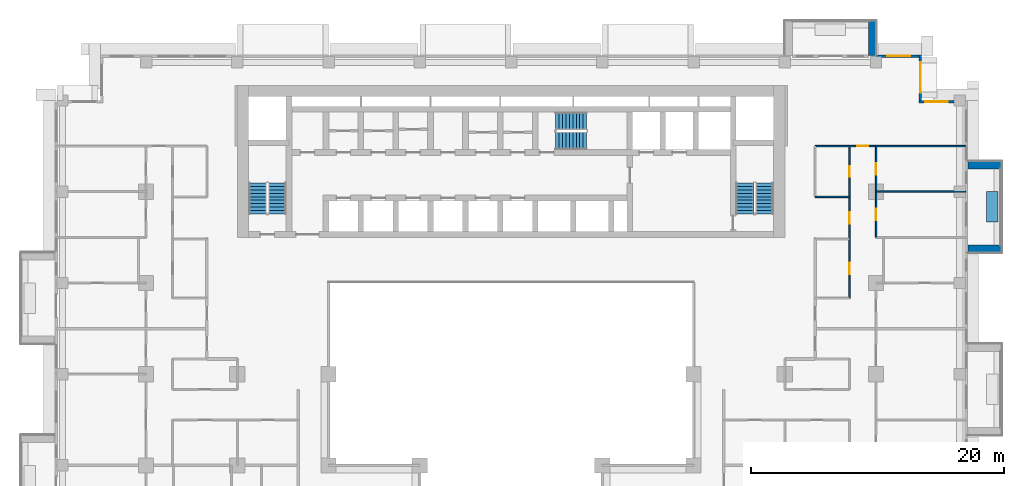
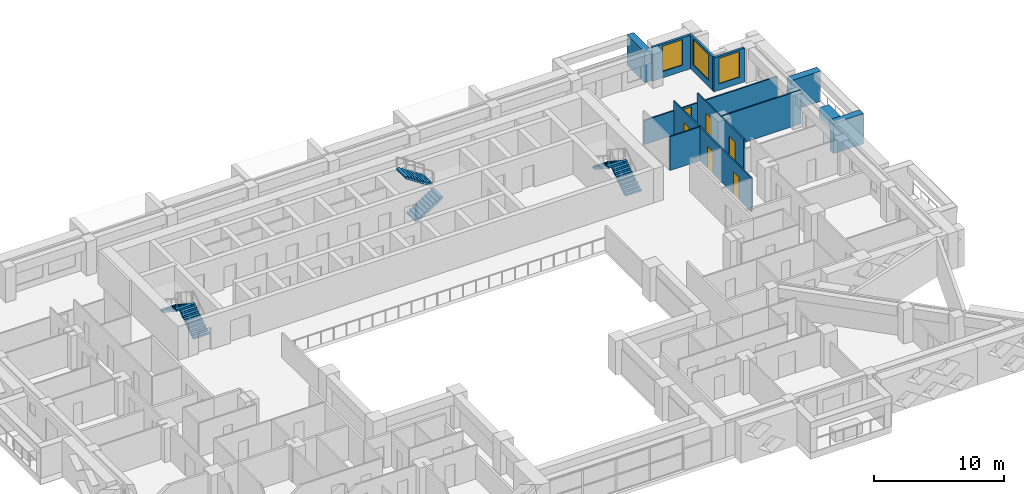
# One storey, part 13 of 17: 12 walls, 6 doors, 6 stair flights, 3 windows, 9 openings, 3 elements without a shape of their own.
"""IFC4 building model written with IfcOpenShell, lengths in metres."""

from ifc_helpers import new_model, si_unit, direction, frame, frame_2d, origin, place, context, subcontext, project, spatial, polyline, rectangle, outline, extrude, material, layer, layer_set, type_object, element, fill, aggregate, save


model = new_model("IFC4")

# Units and contexts
model_context = context("Model", 3, precision=1e-05, world=origin(), true_north=direction((0.0, 1.0)))
body_context = subcontext(model_context, "Body", "Model", "MODEL_VIEW")
ifc_project = project(units=[si_unit("LENGTHUNIT", "METRE"), si_unit("AREAUNIT", "SQUARE_METRE"), si_unit("VOLUMEUNIT", "CUBIC_METRE"), si_unit("PLANEANGLEUNIT", "RADIAN"), si_unit("MASSUNIT", "GRAM", prefix="KILO")], contexts=[model_context])

# Site, building, storey
site_placement = place(None, origin())
site = spatial("IfcSite", under=ifc_project, at=site_placement, CompositionType="ELEMENT")
building_placement = place(site_placement, origin())
building = spatial("IfcBuilding", under=site, at=building_placement, Name="Saffron Iwan Residences", CompositionType="ELEMENT")
storey_placement = place(building_placement, frame((0.0, 0.0, 93.5)))
storey = spatial("IfcBuildingStorey", under=building, at=storey_placement, Name="L24", CompositionType="ELEMENT", Elevation=93.5)

# Walls
ifc_material_1 = material(Name="Concrete C50/60 white painted", Category="concrete")
ifc_layer_1 = layer(ifc_material_1, 0.60009765625)
ifc_layer_set_1 = layer_set([ifc_layer_1], Name="Concrete C50/60 white painted")
wall_type_1 = type_object("IfcWallType", Name="BALCONY FIN 600", PredefinedType="SOLIDWALL", material=ifc_layer_set_1)
for number, where, z_axis, x_axis, name in (
    (1, (86.449951171875, 65.10009765625, 0.0), (0.0, 0.0, 1.0), (1.0, 0.0, 0.0), "Balcony fin L24 F2-1a"),
    (2, (86.449951171875, 71.699951171875, 0.0), (0.0, 0.0, 1.0), (1.0, 0.0, 0.0), "Balcony fin L24 F2-1b"),
):
    element("IfcWall", number, at=place(storey_placement, frame(where, z_axis=z_axis, x_axis=x_axis)), inside=storey, type_object=wall_type_1, Name=name, PredefinedType="SOLIDWALL", context=body_context, shape_type="SweptSolid", body=[
        extrude(rectangle(XDim=2.650146484375, YDim=0.60009765625, at=frame_2d((1.3251953125, 0.0))), origin(), (0.0, 0.0, 1.0), 2.85009765625),
    ])
wall_1_placement = place(storey_placement, frame((78.89990234375, 80.35009765625, 0.0), z_axis=(0.0, 0.0, 1.0), x_axis=(0.0, 1.0, 0.0)))
element("IfcWall", 3, at=wall_1_placement, inside=storey, type_object=wall_type_1, Name="Balcony fin L24 F5-0a", PredefinedType="SOLIDWALL", context=body_context, shape_type="SweptSolid", body=[
    extrude(rectangle(XDim=2.75, YDim=0.60009765625, at=frame_2d((1.375, 0.0))), origin(), (0.0, 0.0, 1.0), 2.85009765625),
])
ifc_material_2 = material(Name="Concrete C35/45 white painted", Category="concrete")
ifc_layer_2 = layer(ifc_material_2, 0.14990234375)
ifc_layer_set_2 = layer_set([ifc_layer_2], Name="Concrete C35/45 white painted")
wall_type_2 = type_object("IfcWallType", Name="BALCONY PLANTER", PredefinedType="SOLIDWALL", material=ifc_layer_set_2)
wall_2_placement = place(storey_placement, frame((88.375, 67.199951171875, 0.0), z_axis=(0.0, 0.0, 1.0), x_axis=(0.0, 1.0, 0.0)))
element("IfcWall", 4, at=wall_2_placement, inside=storey, type_object=wall_type_2, Name="PLANTER L24 F2-1", PredefinedType="SOLIDWALL", context=body_context, shape_type="SweptSolid", body=[
    extrude(rectangle(XDim=2.400146484375, YDim=0.89990234375, at=frame_2d((1.2001953125, 0.0))), origin(), (0.0, 0.0, 1.0), 0.89990234375),
])

# Wall, opening, window
ifc_material_3 = material(Name="Concrete C40/50", Category="concrete")
ifc_layer_3 = layer(ifc_material_3, 0.199951171875)
ifc_layer_set_3 = layer_set([ifc_layer_3], Name="Concrete C40/50")
wall_type_3 = type_object("IfcWallType", Name="EXTERNAL WALL 200", PredefinedType="SOLIDWALL", material=ifc_layer_set_3)
wall_3_placement = place(storey_placement, frame((85.35009765625, 76.699951171875, 0.0), z_axis=(0.0, 0.0, 1.0), x_axis=(-1.0, 0.0, 0.0)))
wall_3 = element("IfcWall", 5, at=wall_3_placement, inside=storey, type_object=wall_type_3, Name="External wall L24 F3.0", PredefinedType="SOLIDWALL", context=body_context, shape_type="SweptSolid", body=[
    extrude(rectangle(XDim=2.75, YDim=0.199951171875, at=frame_2d((1.375, 0.0))), origin(), (0.0, 0.0, 1.0), 3.179931640625),
])
opening_1_placement = place(wall_3_placement, frame((0.47509765625, 0.0, 0.60009765625)))
opening_1 = element("IfcOpeningElement", 6, at=opening_1_placement, cuts=wall_3, Name="Opening W8", PredefinedType="OPENING", context=body_context, shape_type="SweptSolid", body=[
    extrude(rectangle(XDim=1.800048828125, YDim=2.39990234375, at=frame_2d((0.89990234375, 1.199951171875))), frame((0.0, 0.10986328125, 0.0), z_axis=(0.0, -1.0, 0.0), x_axis=(1.0, 0.0, 0.0)), (0.0, 0.0, 1.0), 0.219970703125),
])
ifc_material_4 = material(Name="Clear glass, laminated double glazed", Category="glass")
window_type_1 = type_object("IfcWindowType", Name="WINDOW 1800 x 2400", PartitioningType="DOUBLE_PANEL_VERTICAL", PredefinedType="WINDOW", material=ifc_material_4)
window_1_placement = place(opening_1_placement, origin())
window_1 = element("IfcWindow", 7, at=window_1_placement, inside=storey, type_object=window_type_1, Name="Window L24 F3.0", OverallHeight=2.39990234375, OverallWidth=1.800048828125, PartitioningType="DOUBLE_PANEL_VERTICAL", PredefinedType="WINDOW", context=body_context, shape_type="SweptSolid", body=[
    extrude(rectangle(XDim=1.800048828125, YDim=2.39990234375, at=frame_2d((0.89990234375, 1.199951171875))), frame((0.0, 0.030029296875, 0.0), z_axis=(0.0, -1.0, 0.0), x_axis=(1.0, 0.0, 0.0)), (0.0, 0.0, 1.0), 0.06005859375),
])
fill(opening_1, window_1)

wall_4_placement = place(storey_placement, frame((82.699951171875, 76.800048828125, 0.0), z_axis=(0.0, 0.0, 1.0), x_axis=(0.0, 1.0, 0.0)))
wall_4 = element("IfcWall", 8, at=wall_4_placement, inside=storey, type_object=wall_type_3, Name="External wall L24 F4.0", PredefinedType="SOLIDWALL", context=body_context, shape_type="SweptSolid", body=[
    extrude(rectangle(XDim=3.599853515625, YDim=0.199951171875, at=frame_2d((1.7998046875, 0.0))), origin(), (0.0, 0.0, 1.0), 3.179931640625),
])
opening_2_placement = place(wall_4_placement, frame((0.60009765625, 0.0, 0.60009765625)))
opening_2 = element("IfcOpeningElement", 9, at=opening_2_placement, cuts=wall_4, Name="Opening W1", PredefinedType="OPENING", context=body_context, shape_type="SweptSolid", body=[
    extrude(rectangle(XDim=2.39990234375, YDim=2.39990234375, at=frame_2d((1.199951171875, 1.199951171875))), frame((0.0, 0.10986328125, 0.0), z_axis=(0.0, -1.0, 0.0), x_axis=(1.0, 0.0, 0.0)), (0.0, 0.0, 1.0), 0.219970703125),
])
window_type_2 = type_object("IfcWindowType", Name="WINDOW 2400 x 2400", PartitioningType="DOUBLE_PANEL_VERTICAL", PredefinedType="WINDOW", material=ifc_material_4)
window_2_placement = place(opening_2_placement, origin())
window_2 = element("IfcWindow", 10, at=window_2_placement, inside=storey, type_object=window_type_2, Name="Window L24 F4.0", OverallHeight=2.39990234375, OverallWidth=2.39990234375, PartitioningType="DOUBLE_PANEL_VERTICAL", PredefinedType="WINDOW", context=body_context, shape_type="SweptSolid", body=[
    extrude(rectangle(XDim=2.39990234375, YDim=2.39990234375, at=frame_2d((1.199951171875, 1.199951171875))), frame((0.0, 0.030029296875, 0.0), z_axis=(0.0, -1.0, 0.0), x_axis=(1.0, 0.0, 0.0)), (0.0, 0.0, 1.0), 0.06005859375),
])
fill(opening_2, window_2)

wall_5_placement = place(storey_placement, frame((82.60009765625, 80.300048828125, 0.0), z_axis=(0.0, 0.0, 1.0), x_axis=(-1.0, 0.0, 0.0)))
wall_5 = element("IfcWall", 11, at=wall_5_placement, inside=storey, type_object=wall_type_3, Name="External wall L24 F5.0", PredefinedType="SOLIDWALL", context=body_context, shape_type="SweptSolid", body=[
    extrude(rectangle(XDim=3.400146484375, YDim=0.199951171875, at=frame_2d((1.7001953125, 0.0))), origin(), (0.0, 0.0, 1.0), 3.179931640625),
])
opening_3_placement = place(wall_5_placement, frame((0.699951171875, 0.0, 0.60009765625)))
opening_3 = element("IfcOpeningElement", 12, at=opening_3_placement, cuts=wall_5, Name="Opening W8", PredefinedType="OPENING", context=body_context, shape_type="SweptSolid", body=[
    extrude(rectangle(XDim=1.800048828125, YDim=2.39990234375, at=frame_2d((0.89990234375, 1.199951171875))), frame((0.0, 0.10986328125, 0.0), z_axis=(0.0, -1.0, 0.0), x_axis=(1.0, 0.0, 0.0)), (0.0, 0.0, 1.0), 0.219970703125),
])
window_3_placement = place(opening_3_placement, origin())
window_3 = element("IfcWindow", 13, at=window_3_placement, inside=storey, type_object=window_type_1, Name="Window L24 F5.0", OverallHeight=2.39990234375, OverallWidth=1.800048828125, PartitioningType="DOUBLE_PANEL_VERTICAL", PredefinedType="WINDOW", context=body_context, shape_type="SweptSolid", body=[
    extrude(rectangle(XDim=1.800048828125, YDim=2.39990234375, at=frame_2d((0.89990234375, 1.199951171875))), frame((0.0, 0.030029296875, 0.0), z_axis=(0.0, -1.0, 0.0), x_axis=(1.0, 0.0, 0.0)), (0.0, 0.0, 1.0), 0.06005859375),
])
fill(opening_3, window_3)

# Walls
ifc_material_5 = material(Name="Gypsum board partition")
ifc_layer_4 = layer(ifc_material_5, 0.1201171875)
ifc_layer_set_4 = layer_set([ifc_layer_4], Name="Gypsum board partition")
wall_type_4 = type_object("IfcWallType", Name="Flat partition 120", PredefinedType="PARTITIONING", material=ifc_layer_set_4)
wall_6_placement = place(storey_placement, frame((74.39990234375, 69.199951171875, 0.0), z_axis=(0.0, 0.0, 1.0), x_axis=(1.0, 0.0, 0.0)))
element("IfcWall", 14, at=wall_6_placement, inside=storey, type_object=wall_type_4, Name="W-L24-PART-h69.2-74.4", PredefinedType="PARTITIONING", context=body_context, shape_type="SweptSolid", body=[
    extrude(rectangle(XDim=2.7001953125, YDim=0.1201171875, at=frame_2d((1.35009765625, 0.0))), origin(), (0.0, 0.0, 1.0), 3.179931640625),
])
wall_7_placement = place(storey_placement, frame((79.199951171875, 69.60009765625, 0.0), z_axis=(0.0, 0.0, 1.0), x_axis=(1.0, 0.0, 0.0)))
element("IfcWall", 15, at=wall_7_placement, inside=storey, type_object=wall_type_4, Name="W-L24-PART-h69.6-79.2", PredefinedType="PARTITIONING", context=body_context, shape_type="SweptSolid", body=[
    extrude(rectangle(XDim=7.074951171875, YDim=0.1201171875, at=frame_2d((3.53759765625, 0.0))), origin(), (0.0, 0.0, 1.0), 3.179931640625),
])

# Wall, opening, door
wall_8_placement = place(storey_placement, frame((74.39990234375, 73.199951171875, 0.0), z_axis=(0.0, 0.0, 1.0), x_axis=(1.0, 0.0, 0.0)))
wall_8 = element("IfcWall", 16, at=wall_8_placement, inside=storey, type_object=wall_type_4, Name="W-L24-PART-h73.2-74.4", PredefinedType="PARTITIONING", context=body_context, shape_type="SweptSolid", body=[
    extrude(rectangle(XDim=11.875, YDim=0.1201171875, at=frame_2d((5.9375, 0.0))), origin(), (0.0, 0.0, 1.0), 2.280029296875),
])
opening_4_placement = place(wall_8_placement, frame((3.300048828125, 0.0, 0.0)))
opening_4 = element("IfcOpeningElement", 17, at=opening_4_placement, cuts=wall_8, Name="Opening FD2", PredefinedType="OPENING", context=body_context, shape_type="SweptSolid", body=[
    extrude(rectangle(XDim=0.89990234375, YDim=2.10009765625, at=frame_2d((0.449951171875, 1.050048828125))), frame((0.0, 0.070068359375, 0.0), z_axis=(0.0, -1.0, 0.0), x_axis=(1.0, 0.0, 0.0)), (0.0, 0.0, 1.0), 0.14013671875),
])
ifc_material_6 = material(Name="Timber door", Category="wood")
door_type_1 = type_object("IfcDoorType", Name="Flat door 900", OperationType="NOTDEFINED", PredefinedType="DOOR", material=ifc_material_6)
door_1_placement = place(opening_4_placement, origin())
door_1 = element("IfcDoor", 18, at=door_1_placement, inside=storey, type_object=door_type_1, Name="Door L24-040", OperationType="SINGLE_SWING_RIGHT", OverallHeight=2.10009765625, OverallWidth=0.89990234375, PredefinedType="DOOR", context=body_context, shape_type="SweptSolid", body=[
    extrude(rectangle(XDim=0.89990234375, YDim=2.10009765625, at=frame_2d((0.449951171875, 1.050048828125))), frame((0.0, 0.02490234375, 0.0), z_axis=(0.0, -1.0, 0.0), x_axis=(1.0, 0.0, 0.0)), (0.0, 0.0, 1.0), 0.050048828125),
])
fill(opening_4, door_1)

# Wall, openings, doors
wall_9_placement = place(storey_placement, frame((77.10009765625, 61.199951171875, 0.0), z_axis=(0.0, 0.0, 1.0), x_axis=(0.0, 1.0, 0.0)))
wall_9 = element("IfcWall", 19, at=wall_9_placement, inside=storey, type_object=wall_type_4, Name="W-L24-PART-v77.1-61.2", PredefinedType="PARTITIONING", context=body_context, shape_type="SweptSolid", body=[
    extrude(rectangle(XDim=12.0, YDim=0.1201171875, at=frame_2d((6.0, 0.0))), origin(), (0.0, 0.0, 1.0), 3.179931640625),
])
opening_5_placement = place(wall_9_placement, frame((1.875, 0.0, 0.0)))
opening_5 = element("IfcOpeningElement", 20, at=opening_5_placement, cuts=wall_9, Name="Opening FD2", PredefinedType="OPENING", context=body_context, shape_type="SweptSolid", body=[
    extrude(rectangle(XDim=0.89990234375, YDim=2.10009765625, at=frame_2d((0.449951171875, 1.050048828125))), frame((0.0, 0.070068359375, 0.0), z_axis=(0.0, -1.0, 0.0), x_axis=(1.0, 0.0, 0.0)), (0.0, 0.0, 1.0), 0.14013671875),
])
opening_6_placement = place(wall_9_placement, frame((5.875, 0.0, 0.0)))
opening_6 = element("IfcOpeningElement", 21, at=opening_6_placement, cuts=wall_9, Name="Opening FD2", PredefinedType="OPENING", context=body_context, shape_type="SweptSolid", body=[
    extrude(rectangle(XDim=0.89990234375, YDim=2.10009765625, at=frame_2d((0.449951171875, 1.050048828125))), frame((0.0, 0.070068359375, 0.0), z_axis=(0.0, -1.0, 0.0), x_axis=(1.0, 0.0, 0.0)), (0.0, 0.0, 1.0), 0.14013671875),
])
opening_7_placement = place(wall_9_placement, frame((9.60009765625, 0.0, 0.0)))
opening_7 = element("IfcOpeningElement", 22, at=opening_7_placement, cuts=wall_9, Name="Opening FD3", PredefinedType="OPENING", context=body_context, shape_type="SweptSolid", body=[
    extrude(rectangle(XDim=0.800048828125, YDim=2.10009765625, at=frame_2d((0.39990234375, 1.050048828125))), frame((0.0, 0.070068359375, 0.0), z_axis=(0.0, -1.0, 0.0), x_axis=(1.0, 0.0, 0.0)), (0.0, 0.0, 1.0), 0.14013671875),
])
door_type_2 = type_object("IfcDoorType", Name="Bathroom door 800", OperationType="NOTDEFINED", PredefinedType="DOOR", material=ifc_material_6)
door_2_placement = place(opening_7_placement, origin())
door_2 = element("IfcDoor", 23, at=door_2_placement, inside=storey, type_object=door_type_2, Name="Door L24-043", OperationType="SINGLE_SWING_RIGHT", OverallHeight=2.10009765625, OverallWidth=0.800048828125, PredefinedType="DOOR", context=body_context, shape_type="SweptSolid", body=[
    extrude(rectangle(XDim=0.800048828125, YDim=2.10009765625, at=frame_2d((0.39990234375, 1.050048828125))), frame((0.0, 0.02490234375, 0.0), z_axis=(0.0, -1.0, 0.0), x_axis=(1.0, 0.0, 0.0)), (0.0, 0.0, 1.0), 0.050048828125),
])
fill(opening_7, door_2)
door_3_placement = place(opening_5_placement, origin())
door_3 = element("IfcDoor", 24, at=door_3_placement, inside=storey, type_object=door_type_1, Name="Door L24-041", OperationType="SINGLE_SWING_LEFT", OverallHeight=2.10009765625, OverallWidth=0.89990234375, PredefinedType="DOOR", context=body_context, shape_type="SweptSolid", body=[
    extrude(rectangle(XDim=0.89990234375, YDim=2.10009765625, at=frame_2d((0.449951171875, 1.050048828125))), frame((0.0, 0.02490234375, 0.0), z_axis=(0.0, -1.0, 0.0), x_axis=(1.0, 0.0, 0.0)), (0.0, 0.0, 1.0), 0.050048828125),
])
fill(opening_5, door_3)
door_4_placement = place(opening_6_placement, origin())
door_4 = element("IfcDoor", 25, at=door_4_placement, inside=storey, type_object=door_type_1, Name="Door L24-042", OperationType="SINGLE_SWING_LEFT", OverallHeight=2.10009765625, OverallWidth=0.89990234375, PredefinedType="DOOR", context=body_context, shape_type="SweptSolid", body=[
    extrude(rectangle(XDim=0.89990234375, YDim=2.10009765625, at=frame_2d((0.449951171875, 1.050048828125))), frame((0.0, 0.02490234375, 0.0), z_axis=(0.0, -1.0, 0.0), x_axis=(1.0, 0.0, 0.0)), (0.0, 0.0, 1.0), 0.050048828125),
])
fill(opening_6, door_4)

wall_10_placement = place(storey_placement, frame((79.199951171875, 66.0, 0.0), z_axis=(0.0, 0.0, 1.0), x_axis=(0.0, 1.0, 0.0)))
wall_10 = element("IfcWall", 26, at=wall_10_placement, inside=storey, type_object=wall_type_4, Name="W-L24-PART-v79.2-66", PredefinedType="PARTITIONING", context=body_context, shape_type="SweptSolid", body=[
    extrude(rectangle(XDim=7.199951171875, YDim=0.1201171875, at=frame_2d((3.60009765625, 0.0))), origin(), (0.0, 0.0, 1.0), 3.179931640625),
])
opening_8_placement = place(wall_10_placement, frame((1.35009765625, 0.0, 0.0)))
opening_8 = element("IfcOpeningElement", 27, at=opening_8_placement, cuts=wall_10, Name="Opening FD2", PredefinedType="OPENING", context=body_context, shape_type="SweptSolid", body=[
    extrude(rectangle(XDim=0.89990234375, YDim=2.10009765625, at=frame_2d((0.449951171875, 1.050048828125))), frame((0.0, 0.070068359375, 0.0), z_axis=(0.0, -1.0, 0.0), x_axis=(1.0, 0.0, 0.0)), (0.0, 0.0, 1.0), 0.14013671875),
])
opening_9_placement = place(wall_10_placement, frame((4.949951171875, 0.0, 0.0)))
opening_9 = element("IfcOpeningElement", 28, at=opening_9_placement, cuts=wall_10, Name="Opening FD2", PredefinedType="OPENING", context=body_context, shape_type="SweptSolid", body=[
    extrude(rectangle(XDim=0.89990234375, YDim=2.10009765625, at=frame_2d((0.449951171875, 1.050048828125))), frame((0.0, 0.070068359375, 0.0), z_axis=(0.0, -1.0, 0.0), x_axis=(1.0, 0.0, 0.0)), (0.0, 0.0, 1.0), 0.14013671875),
])
door_5_placement = place(opening_8_placement, origin())
door_5 = element("IfcDoor", 29, at=door_5_placement, inside=storey, type_object=door_type_1, Name="Door L24-038", OperationType="SINGLE_SWING_LEFT", OverallHeight=2.10009765625, OverallWidth=0.89990234375, PredefinedType="DOOR", context=body_context, shape_type="SweptSolid", body=[
    extrude(rectangle(XDim=0.89990234375, YDim=2.10009765625, at=frame_2d((0.449951171875, 1.050048828125))), frame((0.0, 0.02490234375, 0.0), z_axis=(0.0, -1.0, 0.0), x_axis=(1.0, 0.0, 0.0)), (0.0, 0.0, 1.0), 0.050048828125),
])
fill(opening_8, door_5)
door_6_placement = place(opening_9_placement, origin())
door_6 = element("IfcDoor", 30, at=door_6_placement, inside=storey, type_object=door_type_1, Name="Door L24-039", OperationType="SINGLE_SWING_LEFT", OverallHeight=2.10009765625, OverallWidth=0.89990234375, PredefinedType="DOOR", context=body_context, shape_type="SweptSolid", body=[
    extrude(rectangle(XDim=0.89990234375, YDim=2.10009765625, at=frame_2d((0.449951171875, 1.050048828125))), frame((0.0, 0.02490234375, 0.0), z_axis=(0.0, -1.0, 0.0), x_axis=(1.0, 0.0, 0.0)), (0.0, 0.0, 1.0), 0.050048828125),
])
fill(opening_9, door_6)

# Stair, stair flights
ifc_material_7 = material(Name="Concrete C50/60", Category="concrete")
stair_type = type_object("IfcStairType", Name="Stair ST-CORE", PredefinedType="HALF_TURN_STAIR", material=ifc_material_7)
stair_1_placement = place(storey_placement, origin())
stair_1 = element("IfcStair", 31, at=stair_1_placement, inside=storey, type_object=stair_type, Name="L24 Exit Stair ST-W", PredefinedType="HALF_TURN_STAIR")
ifc_layer_5 = layer(ifc_material_7, 0.14990234375)
ifc_layer_set_5 = layer_set([ifc_layer_5], Name="Concrete C50/60")
stair_flight_type = type_object("IfcStairFlightType", Name="Stair flight SFL-RC", PredefinedType="STRAIGHT", material=ifc_layer_set_5)
stair_flight_1_placement = place(storey_placement, frame((31.949951171875, 67.85009765625, 0.0), z_axis=(0.0, 0.0, 1.0), x_axis=(0.0, 1.0, 0.0)))
stair_flight_1 = element("IfcStairFlight", 32, at=stair_flight_1_placement, type_object=stair_flight_type, Name="ST-W flight 1", NumberOfRisers=10, NumberOfTreads=9, PredefinedType="STRAIGHT", RiserHeight=0.175, TreadLength=0.27, context=body_context, shape_type="SweptSolid", body=[
    extrude(outline(polyline([(0.0, 0.0), (0.0, 0.175048828125), (0.27001953125, 0.175048828125), (0.27001953125, 0.35009765625), (0.5400390625, 0.35009765625), (0.5400390625, 0.52490234375), (0.81005859375, 0.52490234375), (0.81005859375, 0.699951171875), (1.080078125, 0.699951171875), (1.080078125, 0.875), (1.35009765625, 0.875), (1.35009765625, 1.050048828125), (1.6201171875, 1.050048828125), (1.6201171875, 1.22509765625), (1.889892578125, 1.22509765625), (1.889892578125, 1.39990234375), (2.159912109375, 1.39990234375), (2.159912109375, 1.574951171875), (2.429931640625, 1.574951171875), (2.429931640625, 1.75), (2.429931640625, 1.396484375), (0.275634765625, 0.0), (0.0, 0.0)])), frame((0.0, 0.699951171875, 0.0), z_axis=(0.0, -1.0, 0.0), x_axis=(1.0, 0.0, 0.0)), (0.0, 0.0, 1.0), 1.39990234375),
])
stair_flight_2_placement = place(storey_placement, frame((30.39990234375, 70.280029296875, 1.75), z_axis=(0.0, 0.0, 1.0), x_axis=(0.0, -1.0, 0.0)))
stair_flight_2 = element("IfcStairFlight", 33, at=stair_flight_2_placement, type_object=stair_flight_type, Name="ST-W flight 2", NumberOfRisers=10, NumberOfTreads=9, PredefinedType="STRAIGHT", RiserHeight=0.175, TreadLength=0.27, context=body_context, shape_type="SweptSolid", body=[
    extrude(outline(polyline([(0.0, 0.0), (0.0, 0.175048828125), (0.27001953125, 0.175048828125), (0.27001953125, 0.35009765625), (0.5400390625, 0.35009765625), (0.5400390625, 0.52490234375), (0.81005859375, 0.52490234375), (0.81005859375, 0.699951171875), (1.080078125, 0.699951171875), (1.080078125, 0.875), (1.35009765625, 0.875), (1.35009765625, 1.050048828125), (1.6201171875, 1.050048828125), (1.6201171875, 1.22509765625), (1.889892578125, 1.22509765625), (1.889892578125, 1.39990234375), (2.159912109375, 1.39990234375), (2.159912109375, 1.574951171875), (2.429931640625, 1.574951171875), (2.429931640625, 1.75), (2.429931640625, 1.396484375), (0.275634765625, 0.0), (0.0, 0.0)])), frame((0.0, 0.699951171875, 0.0), z_axis=(0.0, -1.0, 0.0), x_axis=(1.0, 0.0, 0.0)), (0.0, 0.0, 1.0), 1.39990234375),
])
aggregate(stair_1, [stair_flight_1, stair_flight_2])

stair_2_placement = place(storey_placement, origin())
stair_2 = element("IfcStair", 34, at=stair_2_placement, inside=storey, type_object=stair_type, Name="L24 Exit Stair ST-C", PredefinedType="HALF_TURN_STAIR")
stair_flight_3_placement = place(storey_placement, frame((53.925048828125, 73.625, 0.0), z_axis=(0.0, 0.0, 1.0), x_axis=(1.0, 0.0, 0.0)))
stair_flight_3 = element("IfcStairFlight", 35, at=stair_flight_3_placement, type_object=stair_flight_type, Name="ST-C flight 1", NumberOfRisers=10, NumberOfTreads=9, PredefinedType="STRAIGHT", RiserHeight=0.175, TreadLength=0.27, context=body_context, shape_type="SweptSolid", body=[
    extrude(outline(polyline([(0.0, 0.0), (0.0, 0.175048828125), (0.27001953125, 0.175048828125), (0.27001953125, 0.35009765625), (0.5400390625, 0.35009765625), (0.5400390625, 0.52490234375), (0.81005859375, 0.52490234375), (0.81005859375, 0.699951171875), (1.080078125, 0.699951171875), (1.080078125, 0.875), (1.35009765625, 0.875), (1.35009765625, 1.050048828125), (1.6201171875, 1.050048828125), (1.6201171875, 1.22509765625), (1.889892578125, 1.22509765625), (1.889892578125, 1.39990234375), (2.159912109375, 1.39990234375), (2.159912109375, 1.574951171875), (2.429931640625, 1.574951171875), (2.429931640625, 1.75), (2.429931640625, 1.396484375), (0.275634765625, 0.0), (0.0, 0.0)])), frame((0.0, 0.699951171875, 0.0), z_axis=(0.0, -1.0, 0.0), x_axis=(1.0, 0.0, 0.0)), (0.0, 0.0, 1.0), 1.39990234375),
])
stair_flight_4_placement = place(storey_placement, frame((56.35498046875, 75.175048828125, 1.75), z_axis=(0.0, 0.0, 1.0), x_axis=(-1.0, 0.0, 0.0)))
stair_flight_4 = element("IfcStairFlight", 36, at=stair_flight_4_placement, type_object=stair_flight_type, Name="ST-C flight 2", NumberOfRisers=10, NumberOfTreads=9, PredefinedType="STRAIGHT", RiserHeight=0.175, TreadLength=0.27, context=body_context, shape_type="SweptSolid", body=[
    extrude(outline(polyline([(0.0, 0.0), (0.0, 0.175048828125), (0.27001953125, 0.175048828125), (0.27001953125, 0.35009765625), (0.5400390625, 0.35009765625), (0.5400390625, 0.52490234375), (0.81005859375, 0.52490234375), (0.81005859375, 0.699951171875), (1.080078125, 0.699951171875), (1.080078125, 0.875), (1.35009765625, 0.875), (1.35009765625, 1.050048828125), (1.6201171875, 1.050048828125), (1.6201171875, 1.22509765625), (1.889892578125, 1.22509765625), (1.889892578125, 1.39990234375), (2.159912109375, 1.39990234375), (2.159912109375, 1.574951171875), (2.429931640625, 1.574951171875), (2.429931640625, 1.75), (2.429931640625, 1.396484375), (0.275634765625, 0.0), (0.0, 0.0)])), frame((0.0, 0.699951171875, 0.0), z_axis=(0.0, -1.0, 0.0), x_axis=(1.0, 0.0, 0.0)), (0.0, 0.0, 1.0), 1.39990234375),
])
aggregate(stair_2, [stair_flight_3, stair_flight_4])

stair_3_placement = place(storey_placement, origin())
stair_3 = element("IfcStair", 37, at=stair_3_placement, inside=storey, type_object=stair_type, Name="L24 Exit Stair ST-E", PredefinedType="HALF_TURN_STAIR")
stair_flight_5_placement = place(storey_placement, frame((70.39990234375, 67.85009765625, 0.0), z_axis=(0.0, 0.0, 1.0), x_axis=(0.0, 1.0, 0.0)))
stair_flight_5 = element("IfcStairFlight", 38, at=stair_flight_5_placement, type_object=stair_flight_type, Name="ST-E flight 1", NumberOfRisers=10, NumberOfTreads=9, PredefinedType="STRAIGHT", RiserHeight=0.175, TreadLength=0.27, context=body_context, shape_type="SweptSolid", body=[
    extrude(outline(polyline([(0.0, 0.0), (0.0, 0.175048828125), (0.27001953125, 0.175048828125), (0.27001953125, 0.35009765625), (0.5400390625, 0.35009765625), (0.5400390625, 0.52490234375), (0.81005859375, 0.52490234375), (0.81005859375, 0.699951171875), (1.080078125, 0.699951171875), (1.080078125, 0.875), (1.35009765625, 0.875), (1.35009765625, 1.050048828125), (1.6201171875, 1.050048828125), (1.6201171875, 1.22509765625), (1.889892578125, 1.22509765625), (1.889892578125, 1.39990234375), (2.159912109375, 1.39990234375), (2.159912109375, 1.574951171875), (2.429931640625, 1.574951171875), (2.429931640625, 1.75), (2.429931640625, 1.396484375), (0.275634765625, 0.0), (0.0, 0.0)])), frame((0.0, 0.699951171875, 0.0), z_axis=(0.0, -1.0, 0.0), x_axis=(1.0, 0.0, 0.0)), (0.0, 0.0, 1.0), 1.39990234375),
])
stair_flight_6_placement = place(storey_placement, frame((68.85009765625, 70.280029296875, 1.75), z_axis=(0.0, 0.0, 1.0), x_axis=(0.0, -1.0, 0.0)))
stair_flight_6 = element("IfcStairFlight", 39, at=stair_flight_6_placement, type_object=stair_flight_type, Name="ST-E flight 2", NumberOfRisers=10, NumberOfTreads=9, PredefinedType="STRAIGHT", RiserHeight=0.175, TreadLength=0.27, context=body_context, shape_type="SweptSolid", body=[
    extrude(outline(polyline([(0.0, 0.0), (0.0, 0.175048828125), (0.27001953125, 0.175048828125), (0.27001953125, 0.35009765625), (0.5400390625, 0.35009765625), (0.5400390625, 0.52490234375), (0.81005859375, 0.52490234375), (0.81005859375, 0.699951171875), (1.080078125, 0.699951171875), (1.080078125, 0.875), (1.35009765625, 0.875), (1.35009765625, 1.050048828125), (1.6201171875, 1.050048828125), (1.6201171875, 1.22509765625), (1.889892578125, 1.22509765625), (1.889892578125, 1.39990234375), (2.159912109375, 1.39990234375), (2.159912109375, 1.574951171875), (2.429931640625, 1.574951171875), (2.429931640625, 1.75), (2.429931640625, 1.396484375), (0.275634765625, 0.0), (0.0, 0.0)])), frame((0.0, 0.699951171875, 0.0), z_axis=(0.0, -1.0, 0.0), x_axis=(1.0, 0.0, 0.0)), (0.0, 0.0, 1.0), 1.39990234375),
])
aggregate(stair_3, [stair_flight_5, stair_flight_6])

save(model, "model.ifc")
